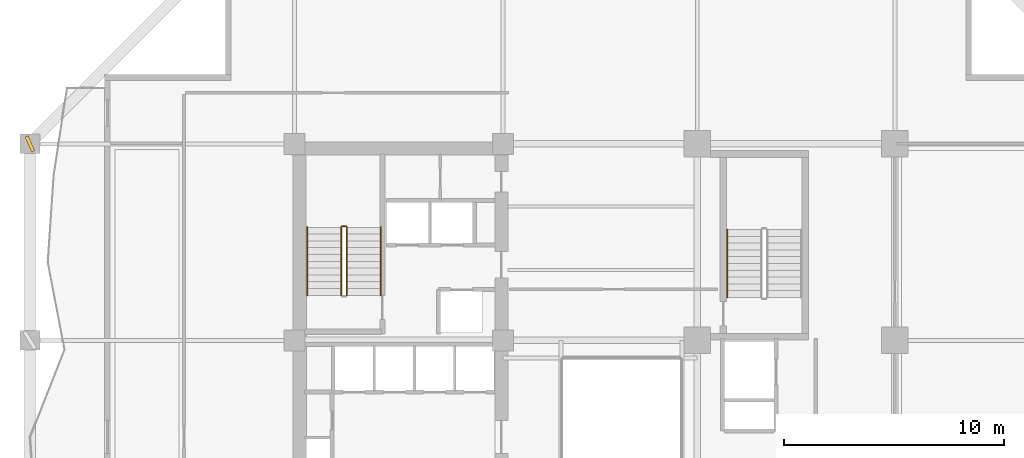
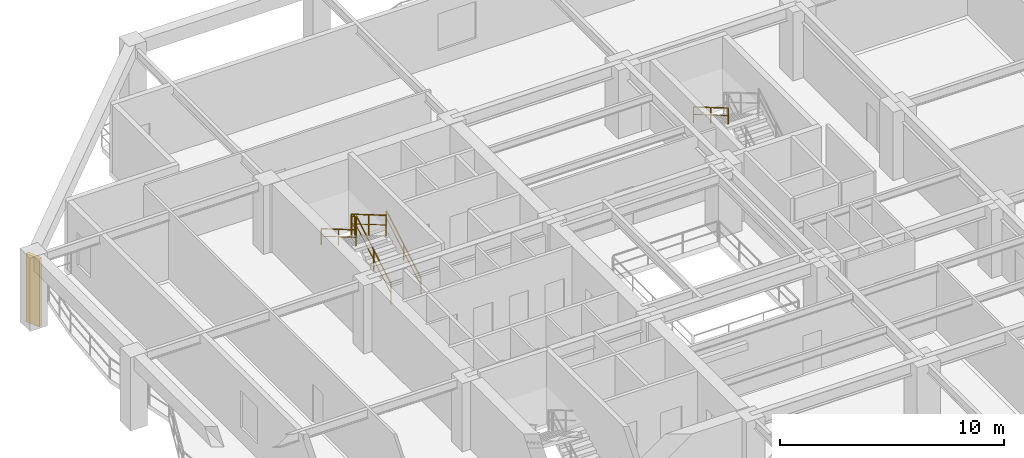
# One storey, part 10 of 13: 6 railings, 1 shading device.
"""IFC4 building model written with IfcOpenShell, lengths in metres."""

from ifc_helpers import new_model, si_unit, direction, frame, origin, origin_2d, place, context, subcontext, project, spatial, rectangle, extrude, material, type_object, element, save


model = new_model("IFC4")

# Units and contexts
model_context = context("Model", 3, precision=1e-05, world=origin(), true_north=direction((0.0, 1.0)))
body_context = subcontext(model_context, "Body", "Model", "MODEL_VIEW")
ifc_project = project(units=[si_unit("LENGTHUNIT", "METRE"), si_unit("AREAUNIT", "SQUARE_METRE"), si_unit("VOLUMEUNIT", "CUBIC_METRE"), si_unit("PLANEANGLEUNIT", "RADIAN"), si_unit("MASSUNIT", "GRAM", prefix="KILO")], contexts=[model_context])

# Site, building, storey
site_placement = place(None, origin())
site = spatial("IfcSite", under=ifc_project, at=site_placement, CompositionType="ELEMENT")
building_placement = place(site_placement, origin())
building = spatial("IfcBuilding", under=site, at=building_placement, Name="Kundavana Baori Tower", CompositionType="ELEMENT")
storey_placement = place(building_placement, frame((0.0, 0.0, 34.0)))
storey = spatial("IfcBuildingStorey", under=building, at=storey_placement, Name="L07", CompositionType="ELEMENT", Elevation=34.0)

# Railings
ifc_material_1 = material(Name="Architectural Patinated Bronze Metalwork")
railing_type_1 = type_object("IfcRailingType", Name="RL-GRD-1150", PredefinedType="GUARDRAIL", material=ifc_material_1)
railing_1_placement = place(storey_placement, frame((17.840087890625, 35.050048828125, 0.181884765625)))
element("IfcRailing", 1, at=railing_1_placement, inside=storey, type_object=railing_type_1, Name="L07 ST2 stair guard 1", PredefinedType="GUARDRAIL", context=body_context, shape_type="SweptSolid", body=[
    extrude(rectangle(XDim=0.048095703125, YDim=0.048095703125, at=origin_2d()), frame((0.0, 0.0, 1.1259765625), z_axis=(0.0, 0.86258143422, 0.50591824373), x_axis=(-1.0, 0.0, 0.0)), (0.0, 0.0, 1.0), 3.59375),
    extrude(rectangle(XDim=0.03125, YDim=0.03125, at=origin_2d()), frame((0.0, 0.0, 0.597900390625), z_axis=(0.0, 0.86258143422, 0.50591824373), x_axis=(-1.0, 0.0, 0.0)), (0.0, 0.0, 1.0), 3.59375),
    extrude(rectangle(XDim=0.0419921875, YDim=0.0419921875, at=origin_2d()), origin(), (0.0, 0.0, 1.0), 1.101806640625),
    extrude(rectangle(XDim=0.0419921875, YDim=0.0419921875, at=origin_2d()), frame((0.0, 1.5498046875, 0.9091796875)), (0.0, 0.0, 1.0), 1.101806640625),
    extrude(rectangle(XDim=0.0419921875, YDim=0.0419921875, at=origin_2d()), frame((0.0, 3.099853515625, 1.818115234375)), (0.0, 0.0, 1.0), 1.101806640625),
])
railing_2_placement = place(storey_placement, frame((17.7900390625, 38.199951171875, 2.0)))
element("IfcRailing", 2, at=railing_2_placement, inside=storey, type_object=railing_type_1, Name="L07 ST2 stair guard 2", PredefinedType="GUARDRAIL", context=body_context, shape_type="SweptSolid", body=[
    extrude(rectangle(XDim=0.048095703125, YDim=0.048095703125, at=origin_2d()), frame((0.0, 0.0, 1.1259765625), z_axis=(-1.0, 0.0, 0.0), x_axis=(0.0, -1.0, 0.0)), (0.0, 0.0, 1.0), 0.16015625),
    extrude(rectangle(XDim=0.03125, YDim=0.03125, at=origin_2d()), frame((0.0, 0.0, 0.597900390625), z_axis=(-1.0, 0.0, 0.0), x_axis=(0.0, -1.0, 0.0)), (0.0, 0.0, 1.0), 0.16015625),
    extrude(rectangle(XDim=0.0419921875, YDim=0.0419921875, at=origin_2d()), origin(), (0.0, 0.0, 1.0), 1.101806640625),
    extrude(rectangle(XDim=0.0419921875, YDim=0.0419921875, at=origin_2d()), frame((-0.16015625, 0.0, 0.0)), (0.0, 0.0, 1.0), 1.101806640625),
])
railing_3_placement = place(storey_placement, frame((17.580078125, 38.14990234375, 2.181884765625)))
element("IfcRailing", 3, at=railing_3_placement, inside=storey, type_object=railing_type_1, Name="L07 ST2 stair guard 3", PredefinedType="GUARDRAIL", context=body_context, shape_type="SweptSolid", body=[
    extrude(rectangle(XDim=0.048095703125, YDim=0.048095703125, at=origin_2d()), frame((0.0, 0.0, 1.1259765625), z_axis=(0.0, -0.86258143422, 0.50591824373), x_axis=(1.0, 0.0, 0.0)), (0.0, 0.0, 1.0), 3.59375),
    extrude(rectangle(XDim=0.03125, YDim=0.03125, at=origin_2d()), frame((0.0, 0.0, 0.597900390625), z_axis=(0.0, -0.86258143422, 0.50591824373), x_axis=(1.0, 0.0, 0.0)), (0.0, 0.0, 1.0), 3.59375),
    extrude(rectangle(XDim=0.0419921875, YDim=0.0419921875, at=origin_2d()), origin(), (0.0, 0.0, 1.0), 1.101806640625),
    extrude(rectangle(XDim=0.0419921875, YDim=0.0419921875, at=origin_2d()), frame((0.0, -1.5498046875, 0.9091796875)), (0.0, 0.0, 1.0), 1.101806640625),
    extrude(rectangle(XDim=0.0419921875, YDim=0.0419921875, at=origin_2d()), frame((0.0, -3.099853515625, 1.818115234375)), (0.0, 0.0, 1.0), 1.101806640625),
])
ifc_material_2 = material(Name="Architectural Patinated Bronze Metalwork")
railing_type_2 = type_object("IfcRailingType", Name="RL-HND-920", PredefinedType="HANDRAIL", material=ifc_material_2)
railing_4_placement = place(storey_placement, frame((19.389892578125, 35.050048828125, 0.181884765625)))
element("IfcRailing", 4, at=railing_4_placement, inside=storey, type_object=railing_type_2, Name="L07 ST2 stair handrail 1", PredefinedType="HANDRAIL", context=body_context, shape_type="SweptSolid", body=[
    extrude(rectangle(XDim=0.048095703125, YDim=0.048095703125, at=origin_2d()), frame((0.0, 0.0, 0.8759765625), z_axis=(0.0, 0.86258143422, 0.50591824373), x_axis=(-1.0, 0.0, 0.0)), (0.0, 0.0, 1.0), 3.59375),
    extrude(rectangle(XDim=0.03125, YDim=0.03125, at=origin_2d()), frame((0.0, 0.0, 0.468017578125), z_axis=(0.0, 0.86258143422, 0.50591824373), x_axis=(-1.0, 0.0, 0.0)), (0.0, 0.0, 1.0), 3.59375),
    extrude(rectangle(XDim=0.0419921875, YDim=0.0419921875, at=origin_2d()), origin(), (0.0, 0.0, 1.0), 0.851806640625),
    extrude(rectangle(XDim=0.0419921875, YDim=0.0419921875, at=origin_2d()), frame((0.0, 1.5498046875, 0.9091796875)), (0.0, 0.0, 1.0), 0.851806640625),
    extrude(rectangle(XDim=0.0419921875, YDim=0.0419921875, at=origin_2d()), frame((0.0, 3.099853515625, 1.818115234375)), (0.0, 0.0, 1.0), 0.851806640625),
])
railing_5_placement = place(storey_placement, frame((16.030029296875, 38.14990234375, 2.181884765625)))
element("IfcRailing", 5, at=railing_5_placement, inside=storey, type_object=railing_type_2, Name="L07 ST2 stair handrail 2", PredefinedType="HANDRAIL", context=body_context, shape_type="SweptSolid", body=[
    extrude(rectangle(XDim=0.048095703125, YDim=0.048095703125, at=origin_2d()), frame((0.0, 0.0, 0.8759765625), z_axis=(0.0, -0.86258143422, 0.50591824373), x_axis=(1.0, 0.0, 0.0)), (0.0, 0.0, 1.0), 3.59375),
    extrude(rectangle(XDim=0.03125, YDim=0.03125, at=origin_2d()), frame((0.0, 0.0, 0.468017578125), z_axis=(0.0, -0.86258143422, 0.50591824373), x_axis=(1.0, 0.0, 0.0)), (0.0, 0.0, 1.0), 3.59375),
    extrude(rectangle(XDim=0.0419921875, YDim=0.0419921875, at=origin_2d()), origin(), (0.0, 0.0, 1.0), 0.851806640625),
    extrude(rectangle(XDim=0.0419921875, YDim=0.0419921875, at=origin_2d()), frame((0.0, -1.5498046875, 0.9091796875)), (0.0, 0.0, 1.0), 0.851806640625),
    extrude(rectangle(XDim=0.0419921875, YDim=0.0419921875, at=origin_2d()), frame((0.0, -3.099853515625, 1.818115234375)), (0.0, 0.0, 1.0), 0.851806640625),
])
railing_6_placement = place(storey_placement, frame((35.169921875, 38.050048828125, 2.181884765625)))
element("IfcRailing", 6, at=railing_6_placement, inside=storey, type_object=railing_type_2, Name="L07 ST3 stair handrail 2", PredefinedType="HANDRAIL", context=body_context, shape_type="SweptSolid", body=[
    extrude(rectangle(XDim=0.048095703125, YDim=0.048095703125, at=origin_2d()), frame((0.0, 0.0, 0.8759765625), z_axis=(0.0, -0.862598821094, 0.505888598258), x_axis=(1.0, 0.0, 0.0)), (0.0, 0.0, 1.0), 3.593994140625),
    extrude(rectangle(XDim=0.03125, YDim=0.03125, at=origin_2d()), frame((0.0, 0.0, 0.468017578125), z_axis=(0.0, -0.862598821094, 0.505888598258), x_axis=(1.0, 0.0, 0.0)), (0.0, 0.0, 1.0), 3.593994140625),
    extrude(rectangle(XDim=0.0419921875, YDim=0.0419921875, at=origin_2d()), origin(), (0.0, 0.0, 1.0), 0.851806640625),
    extrude(rectangle(XDim=0.0419921875, YDim=0.0419921875, at=origin_2d()), frame((0.0, -1.550048828125, 0.9091796875)), (0.0, 0.0, 1.0), 0.851806640625),
    extrude(rectangle(XDim=0.0419921875, YDim=0.0419921875, at=origin_2d()), frame((0.0, -3.10009765625, 1.818115234375)), (0.0, 0.0, 1.0), 0.851806640625),
])

# Shading device
ifc_material_3 = material(Name="Red-Buff Dholpur Sandstone Cladding on Concrete C40/50", Category="masonry")
shading_device_type = type_object("IfcShadingDeviceType", Name="SHD-FIN-750", PredefinedType="JALOUSIE", material=ifc_material_3)
shading_device_placement = place(storey_placement, frame((3.39990234375, 41.949951171875, 0.0), z_axis=(0.0, 0.0, 1.0), x_axis=(0.917407699357, 0.397948631308, 0.0)))
element("IfcShadingDevice", 7, at=shading_device_placement, inside=storey, type_object=shading_device_type, Name="L07 Sweeping Dholpur Sandstone Facade Fin 8", PredefinedType="JALOUSIE", context=body_context, shape_type="SweptSolid", body=[
    extrude(rectangle(XDim=0.159912109375, YDim=0.75, at=origin_2d()), origin(), (0.0, 0.0, 1.0), 3.719970703125),
])

save(model, "model.ifc")
